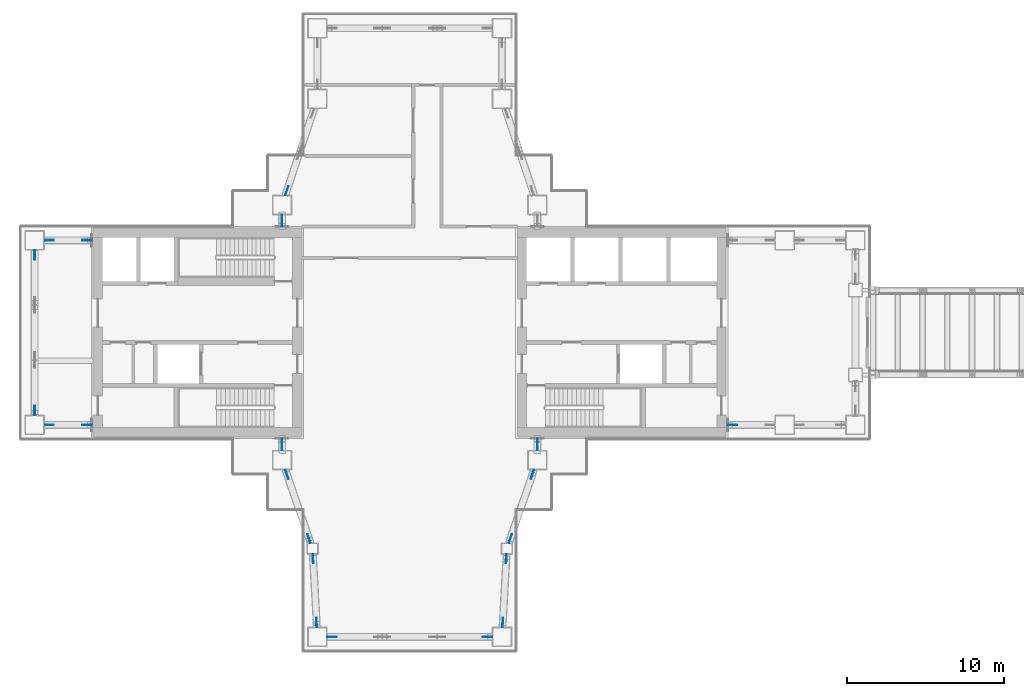
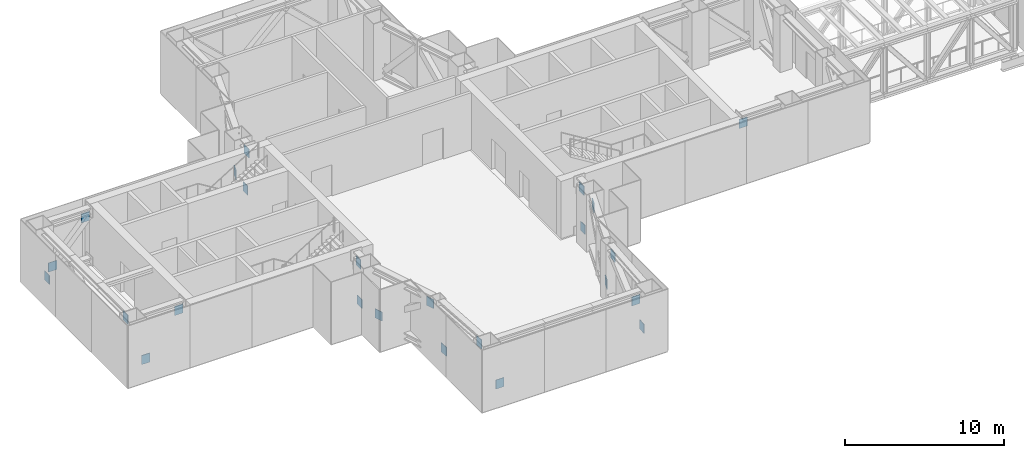
# One storey, part 16 of 21: 24 discrete accessories.
"""IFC4 building model written with IfcOpenShell, lengths in metres."""

from ifc_helpers import new_model, si_unit, direction, frame, origin, origin_2d, place, context, subcontext, project, spatial, rectangle, extrude, material, layer, layer_set, type_object, element, save


model = new_model("IFC4")

# Units and contexts
model_context = context("Model", 3, precision=1e-05, world=origin(), true_north=direction((0.0, 1.0)))
body_context = subcontext(model_context, "Body", "Model", "MODEL_VIEW")
ifc_project = project(units=[si_unit("LENGTHUNIT", "METRE"), si_unit("AREAUNIT", "SQUARE_METRE"), si_unit("VOLUMEUNIT", "CUBIC_METRE"), si_unit("PLANEANGLEUNIT", "RADIAN"), si_unit("MASSUNIT", "GRAM", prefix="KILO")], contexts=[model_context])

# Site, building, storey
site_placement = place(None, origin())
site = spatial("IfcSite", under=ifc_project, at=site_placement, CompositionType="ELEMENT")
building_placement = place(site_placement, origin())
building = spatial("IfcBuilding", under=site, at=building_placement, Name="Shamsa Quay Exchange Towers", CompositionType="ELEMENT")
storey_placement = place(building_placement, frame((0.0, 0.0, 128.699951171875)))
storey = spatial("IfcBuildingStorey", under=building, at=storey_placement, Name="L30", CompositionType="ELEMENT", Elevation=128.699951171875)

# Discrete accessories
ifc_material = material(Name="Steel S355", Category="steel")
ifc_layer = layer(ifc_material, 0.0400390625)
ifc_layer_set = layer_set([ifc_layer], Name="End plate 600x700x40")
discrete_accessory_type = type_object("IfcDiscreteAccessoryType", Name="End plate 600x700x40", PredefinedType="BRACKET", material=ifc_layer_set)
for number, where, name in (
    (1, (-56.699951171875, -5.875, 0.38134765625), "End plate T1 L30"),
    (2, (-54.300048828125, -5.875, 3.31884765625), "End plate T1 L30"),
):
    element("IfcDiscreteAccessory", number, at=place(storey_placement, frame(where)), inside=storey, type_object=discrete_accessory_type, Name=name, PredefinedType="BRACKET", context=body_context, shape_type="SweptSolid", body=[
        extrude(rectangle(XDim=0.60009765625, YDim=0.0400390625, at=origin_2d()), origin(), (0.0, 0.0, 1.0), 0.699951171875),
    ])
for number, where, z_axis, x_axis, name in (
    (3, (-41.875, -7.199951171875, 0.38134765625), (0.0, 0.0, 1.0), (0.0, 1.0, 0.0), "End plate T1 L30"),
    (4, (-41.875, -7.050048828125, 3.31884765625), (0.0, 0.0, 1.0), (0.0, 1.0, 0.0), "End plate T1 L30"),
    (5, (-41.56201171875, -9.03369140625, 0.38134765625), (0.0, 0.0, 1.0), (0.325666906351, -0.945484566827, 0.0), "End plate T1 L30"),
    (6, (-40.15576171875, -13.116455078125, 3.31884765625), (0.0, 0.0, 1.0), (0.325666906351, -0.945484566827, 0.0), "End plate T1 L30"),
    (7, (-39.9013671875, -14.399658203125, 0.38134765625), (0.0, 0.0, 1.0), (0.055470019625, -0.998460353205, 0.0), "End plate T1 L30"),
    (8, (-39.67626953125, -18.450439453125, 3.31884765625), (0.0, 0.0, 1.0), (0.055470019625, -0.998460353205, 0.0), "End plate T1 L30"),
):
    element("IfcDiscreteAccessory", number, at=place(storey_placement, frame(where, z_axis=z_axis, x_axis=x_axis)), inside=storey, type_object=discrete_accessory_type, Name=name, PredefinedType="BRACKET", context=body_context, shape_type="SweptSolid", body=[
        extrude(rectangle(XDim=0.60009765625, YDim=0.0400390625, at=origin_2d()), origin(), (0.0, 0.0, 1.0), 0.699951171875),
    ])
for number, where, name in (
    (9, (-38.699951171875, -19.375, 0.38134765625), "End plate T1 L30"),
    (10, (-28.800048828125, -19.375, 3.31884765625), "End plate T1 L30"),
):
    element("IfcDiscreteAccessory", number, at=place(storey_placement, frame(where)), inside=storey, type_object=discrete_accessory_type, Name=name, PredefinedType="BRACKET", context=body_context, shape_type="SweptSolid", body=[
        extrude(rectangle(XDim=0.60009765625, YDim=0.0400390625, at=origin_2d()), origin(), (0.0, 0.0, 1.0), 0.699951171875),
    ])
for number, where, z_axis, x_axis, name in (
    (11, (-27.82373046875, -18.450439453125, 0.38134765625), (0.0, 0.0, 1.0), (0.055470019625, 0.998460353205, 0.0), "End plate T1 L30"),
    (12, (-27.5986328125, -14.399658203125, 3.31884765625), (0.0, 0.0, 1.0), (0.055470019625, 0.998460353205, 0.0), "End plate T1 L30"),
    (13, (-27.34423828125, -13.116455078125, 0.38134765625), (0.0, 0.0, 1.0), (0.325666906351, 0.945484566827, 0.0), "End plate T1 L30"),
    (14, (-25.93798828125, -9.03369140625, 3.31884765625), (0.0, 0.0, 1.0), (0.325666906351, 0.945484566827, 0.0), "End plate T1 L30"),
    (15, (-25.625, -7.199951171875, 0.38134765625), (0.0, 0.0, 1.0), (0.0, 1.0, 0.0), "End plate T1 L30"),
    (16, (-25.625, -7.050048828125, 3.31884765625), (0.0, 0.0, 1.0), (0.0, 1.0, 0.0), "End plate T1 L30"),
    (17, (-13.199951171875, -5.875, 3.31884765625), (0.0, 0.0, 1.0), (-1.0, 0.0, 0.0), "End plate T1 L30"),
    (18, (-41.57177734375, 9.03466796875, 0.38134765625), (0.0, 0.0, 1.0), (-0.316227766018, -0.94868329805, 0.0), "End plate T1 L30"),
    (19, (-41.875, 7.199951171875, 0.38134765625), (0.0, 0.0, 1.0), (0.0, -1.0, 0.0), "End plate T1 L30"),
    (20, (-41.875, 7.050048828125, 3.31884765625), (0.0, 0.0, 1.0), (0.0, -1.0, 0.0), "End plate T1 L30"),
):
    element("IfcDiscreteAccessory", number, at=place(storey_placement, frame(where, z_axis=z_axis, x_axis=x_axis)), inside=storey, type_object=discrete_accessory_type, Name=name, PredefinedType="BRACKET", context=body_context, shape_type="SweptSolid", body=[
        extrude(rectangle(XDim=0.60009765625, YDim=0.0400390625, at=origin_2d()), origin(), (0.0, 0.0, 1.0), 0.699951171875),
    ])
for number, where, name in (
    (21, (-56.699951171875, 5.875, 0.38134765625), "End plate T1 L30"),
    (22, (-54.300048828125, 5.875, 3.31884765625), "End plate T1 L30"),
):
    element("IfcDiscreteAccessory", number, at=place(storey_placement, frame(where)), inside=storey, type_object=discrete_accessory_type, Name=name, PredefinedType="BRACKET", context=body_context, shape_type="SweptSolid", body=[
        extrude(rectangle(XDim=0.60009765625, YDim=0.0400390625, at=origin_2d()), origin(), (0.0, 0.0, 1.0), 0.699951171875),
    ])
for number, where, z_axis, x_axis, name in (
    (23, (-57.625, 4.949951171875, 0.38134765625), (0.0, 0.0, 1.0), (0.0, -1.0, 0.0), "End plate T1 L30"),
    (24, (-57.625, -4.949951171875, 3.31884765625), (0.0, 0.0, 1.0), (0.0, -1.0, 0.0), "End plate T1 L30"),
):
    element("IfcDiscreteAccessory", number, at=place(storey_placement, frame(where, z_axis=z_axis, x_axis=x_axis)), inside=storey, type_object=discrete_accessory_type, Name=name, PredefinedType="BRACKET", context=body_context, shape_type="SweptSolid", body=[
        extrude(rectangle(XDim=0.60009765625, YDim=0.0400390625, at=origin_2d()), origin(), (0.0, 0.0, 1.0), 0.699951171875),
    ])

save(model, "model.ifc")
